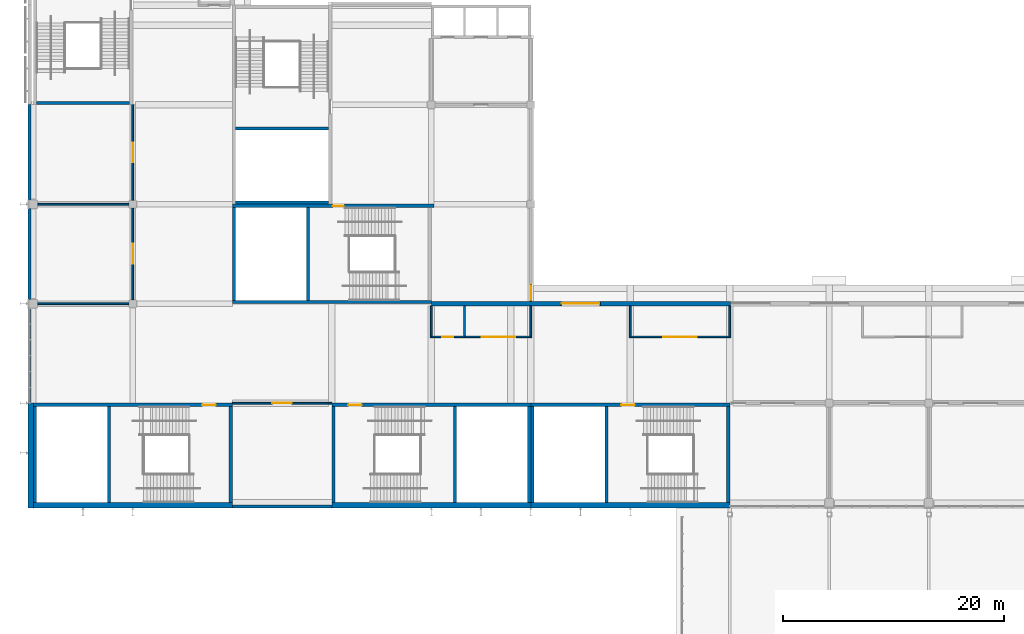
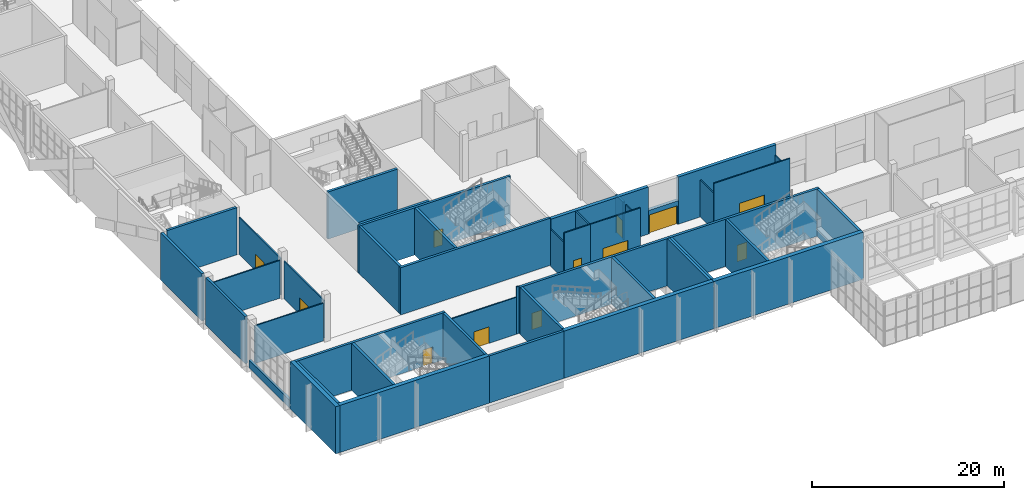
# One storey, part 38 of 89: 45 walls, 12 doors, 12 openings.
"""IFC4 building model written with IfcOpenShell, lengths in metres."""

from ifc_helpers import new_model, si_unit, direction, frame, frame_2d, origin, place, context, subcontext, project, spatial, rectangle, extrude, material, layer, layer_set, type_object, element, fill, save


model = new_model("IFC4")

# Units and contexts
model_context = context("Model", 3, precision=1e-05, world=origin(), true_north=direction((0.0, 1.0)))
body_context = subcontext(model_context, "Body", "Model", "MODEL_VIEW")
ifc_project = project(units=[si_unit("LENGTHUNIT", "METRE"), si_unit("AREAUNIT", "SQUARE_METRE"), si_unit("VOLUMEUNIT", "CUBIC_METRE"), si_unit("PLANEANGLEUNIT", "RADIAN"), si_unit("MASSUNIT", "GRAM", prefix="KILO")], contexts=[model_context])

# Site, building, storey
site_placement = place(None, origin())
site = spatial("IfcSite", under=ifc_project, at=site_placement, CompositionType="ELEMENT")
building_placement = place(site_placement, origin())
building = spatial("IfcBuilding", under=site, at=building_placement, Name="Silverbay Arena", CompositionType="ELEMENT")
storey_placement = place(building_placement, frame((0.0, 0.0, 22.0)))
storey = spatial("IfcBuildingStorey", under=building, at=storey_placement, Name="L03", CompositionType="ELEMENT", Elevation=22.0)

# Wall, opening, door
ifc_material_1 = material(Name="Concrete Grade C45", Category="concrete")
ifc_layer_1 = layer(ifc_material_1, 0.25)
ifc_layer_set_1 = layer_set([ifc_layer_1], Name="Concrete Grade C45")
wall_type_1 = type_object("IfcWallType", Name="Bowl enclosure wall RC 250 EI 120", PredefinedType="SOLIDWALL", material=ifc_layer_set_1)
wall_1_placement = place(storey_placement, frame((99.0, 37.800048828125, 0.0), z_axis=(0.0, 0.0, 1.0), x_axis=(0.0, -1.0, 0.0)))
wall_1 = element("IfcWall", 1, at=wall_1_placement, inside=storey, type_object=wall_type_1, Name="gangway South upper stand end", PredefinedType="SOLIDWALL", context=body_context, shape_type="SweptSolid", body=[
    extrude(rectangle(XDim=1.60009765625, YDim=0.25, at=frame_2d((0.800048828125, 0.0))), origin(), (0.0, 0.0, 1.0), 4.800048828125),
])
opening_1_placement = place(wall_1_placement, frame((0.10009765625, 0.0, 0.0)))
opening_1 = element("IfcOpeningElement", 2, at=opening_1_placement, cuts=wall_1, Name="Opening L03-089", PredefinedType="OPENING", context=body_context, shape_type="SweptSolid", body=[
    extrude(rectangle(XDim=1.39990234375, YDim=2.39990234375, at=frame_2d((0.699951171875, 1.199951171875))), frame((0.0, 0.135009765625, 0.0), z_axis=(0.0, -1.0, 0.0), x_axis=(1.0, 0.0, 0.0)), (0.0, 0.0, 1.0), 0.27001953125),
])
ifc_material_2 = material(Name="Steel", Category="steel")
door_type_1 = type_object("IfcDoorType", Name="Fire door set 1400 x 2400 FD120S gangway", OperationType="DOUBLE_DOOR_SINGLE_SWING", PredefinedType="DOOR", material=ifc_material_2)
door_1_placement = place(opening_1_placement, frame((1.39990234375, 0.0, 0.0), z_axis=(0.0, 0.0, 1.0), x_axis=(-1.0, 0.0, 0.0)))
door_1 = element("IfcDoor", 3, at=door_1_placement, inside=storey, type_object=door_type_1, Name="Fire door set L03 gangway South upper stand end", OperationType="DOUBLE_DOOR_SINGLE_SWING", OverallHeight=2.39990234375, OverallWidth=1.39990234375, PredefinedType="DOOR", context=body_context, shape_type="SweptSolid", body=[
    extrude(rectangle(XDim=1.39990234375, YDim=2.39990234375, at=frame_2d((0.699951171875, 1.199951171875))), frame((0.0, 0.02490234375, 0.0), z_axis=(0.0, -1.0, 0.0), x_axis=(1.0, 0.0, 0.0)), (0.0, 0.0, 1.0), 0.050048828125),
])
fill(opening_1, door_1)

ifc_material_3 = material(Name="Concrete Grade C45", Category="concrete")
ifc_layer_2 = layer(ifc_material_3, 0.39990234375)
ifc_layer_set_2 = layer_set([ifc_layer_2], Name="Concrete Grade C45")
wall_type_2 = type_object("IfcWallType", Name="Bowl enclosure wall RC 400 EI 120", PredefinedType="SOLIDWALL", material=ifc_layer_set_2)
wall_2_placement = place(storey_placement, frame((101.699951171875, 36.0, 0.0), z_axis=(0.0, 0.0, 1.0), x_axis=(1.0, 0.0, 0.0)))
wall_2 = element("IfcWall", 4, at=wall_2_placement, inside=storey, type_object=wall_type_2, Name="portal stand S 103.5", PredefinedType="SOLIDWALL", context=body_context, shape_type="SweptSolid", body=[
    extrude(rectangle(XDim=3.60009765625, YDim=0.39990234375, at=frame_2d((1.800048828125, 0.0))), origin(), (0.0, 0.0, 1.0), 3.0),
])
opening_2_placement = place(wall_2_placement, frame((0.10009765625, 0.0, 0.0)))
opening_2 = element("IfcOpeningElement", 5, at=opening_2_placement, cuts=wall_2, Name="Opening L03-099", PredefinedType="OPENING", context=body_context, shape_type="SweptSolid", body=[
    extrude(rectangle(XDim=3.39990234375, YDim=2.39990234375, at=frame_2d((1.699951171875, 1.199951171875))), frame((0.0, 0.2099609375, 0.0), z_axis=(0.0, -1.0, 0.0), x_axis=(1.0, 0.0, 0.0)), (0.0, 0.0, 1.0), 0.419921875),
])
ifc_material_4 = material(Name="Steel", Category="steel")
door_type_2 = type_object("IfcDoorType", Name="Fire door set 3400 x 2400 FD120S portal", OperationType="DOUBLE_DOOR_SINGLE_SWING", PredefinedType="DOOR", material=ifc_material_4)
door_2_placement = place(opening_2_placement, frame((3.39990234375, 0.0, 0.0), z_axis=(0.0, 0.0, 1.0), x_axis=(-1.0, 0.0, 0.0)))
door_2 = element("IfcDoor", 6, at=door_2_placement, inside=storey, type_object=door_type_2, Name="Fire door set L03 portal stand S 103.5", OperationType="DOUBLE_DOOR_SINGLE_SWING", OverallHeight=2.39990234375, OverallWidth=3.39990234375, PredefinedType="DOOR", context=body_context, shape_type="SweptSolid", body=[
    extrude(rectangle(XDim=3.39990234375, YDim=2.39990234375, at=frame_2d((1.699951171875, 1.199951171875))), frame((0.0, 0.02490234375, 0.0), z_axis=(0.0, -1.0, 0.0), x_axis=(1.0, 0.0, 0.0)), (0.0, 0.0, 1.0), 0.050048828125),
])
fill(opening_2, door_2)

# Walls
ifc_material_5 = material(Name="Concrete Grade C45 precast, light finish", Category="concrete")
ifc_layer_3 = layer(ifc_material_5, 0.300048828125)
ifc_layer_set_3 = layer_set([ifc_layer_3], Name="Concrete Grade C45 precast, light finish")
wall_type_3 = type_object("IfcWallType", Name="Cladded external wall 300", PredefinedType="SOLIDWALL", material=ifc_layer_set_3)
wall_3_placement = place(storey_placement, frame((72.0, 17.64990234375, 0.0), z_axis=(0.0, 0.0, 1.0), x_axis=(1.0, 0.0, 0.0)))
element("IfcWall", 7, at=wall_3_placement, inside=storey, type_object=wall_type_3, Name="South external wall L03 bay 3", PredefinedType="SOLIDWALL", context=body_context, shape_type="SweptSolid", body=[
    extrude(rectangle(XDim=9.0, YDim=0.300048828125, at=frame_2d((4.5, 0.0))), origin(), (0.0, 0.0, 1.0), 6.0),
])
wall_4_placement = place(storey_placement, frame((53.64990234375, 35.60009765625, 0.0), z_axis=(0.0, 0.0, 1.0), x_axis=(0.0, -1.0, 0.0)))
element("IfcWall", 8, at=wall_4_placement, inside=storey, type_object=wall_type_3, Name="West sill wall L03 bay 2", PredefinedType="SOLIDWALL", context=body_context, shape_type="SweptSolid", body=[
    extrude(rectangle(XDim=8.60009765625, YDim=0.300048828125, at=frame_2d((4.300048828125, 0.0))), origin(), (0.0, 0.0, 1.0), 1.0),
])
wall_5_placement = place(storey_placement, frame((53.64990234375, 44.60009765625, 0.0), z_axis=(0.0, 0.0, 1.0), x_axis=(0.0, -1.0, 0.0)))
element("IfcWall", 9, at=wall_5_placement, inside=storey, type_object=wall_type_3, Name="West external wall L03 bay 3", PredefinedType="SOLIDWALL", context=body_context, shape_type="SweptSolid", body=[
    extrude(rectangle(XDim=8.2001953125, YDim=0.300048828125, at=frame_2d((4.10009765625, 0.0))), origin(), (0.0, 0.0, 1.0), 6.0),
])
wall_6_placement = place(storey_placement, frame((53.64990234375, 54.0, 0.0), z_axis=(0.0, 0.0, 1.0), x_axis=(0.0, -1.0, 0.0)))
element("IfcWall", 10, at=wall_6_placement, inside=storey, type_object=wall_type_3, Name="West external wall L03 bay 4", PredefinedType="SOLIDWALL", context=body_context, shape_type="SweptSolid", body=[
    extrude(rectangle(XDim=8.60009765625, YDim=0.300048828125, at=frame_2d((4.300048828125, 0.0))), origin(), (0.0, 0.0, 1.0), 6.0),
])

# Wall, opening, door
ifc_material_6 = material(Name="Concrete Grade C45", Category="concrete")
ifc_layer_4 = layer(ifc_material_6, 0.300048828125)
ifc_layer_set_4 = layer_set([ifc_layer_4], Name="Concrete Grade C45")
wall_type_4 = type_object("IfcWallType", Name="Core wall RC 300 EI 120", PredefinedType="SHEAR", material=ifc_layer_set_4)
wall_7_placement = place(storey_placement, frame((81.0, 26.85009765625, 0.0), z_axis=(0.0, 0.0, 1.0), x_axis=(1.0, 0.0, 0.0)))
wall_7 = element("IfcWall", 11, at=wall_7_placement, inside=storey, type_object=wall_type_4, Name="Core wall ST-S1 L03 door side", PredefinedType="SHEAR", context=body_context, shape_type="SweptSolid", body=[
    extrude(rectangle(XDim=18.0, YDim=0.300048828125, at=frame_2d((9.0, 0.0))), origin(), (0.0, 0.0, 1.0), 6.0),
])
opening_3_placement = place(wall_7_placement, frame((1.5, 0.0, 0.0)))
opening_3 = element("IfcOpeningElement", 12, at=opening_3_placement, cuts=wall_7, Name="Opening L03-053", PredefinedType="OPENING", context=body_context, shape_type="SweptSolid", body=[
    extrude(rectangle(XDim=1.199951171875, YDim=2.10009765625, at=frame_2d((0.60009765625, 1.050048828125))), frame((0.0, 0.16015625, 0.0), z_axis=(0.0, -1.0, 0.0), x_axis=(1.0, 0.0, 0.0)), (0.0, 0.0, 1.0), 0.320068359375),
])
ifc_material_7 = material(Name="Steel fire door", Category="steel")
door_type_3 = type_object("IfcDoorType", Name="Stair door 1200 x 2100 fire door", OperationType="SINGLE_SWING_LEFT", PredefinedType="DOOR", material=ifc_material_7)
door_3_placement = place(opening_3_placement, frame((1.199951171875, 0.0, 0.0), z_axis=(0.0, 0.0, 1.0), x_axis=(-1.0, 0.0, 0.0)))
door_3 = element("IfcDoor", 13, at=door_3_placement, inside=storey, type_object=door_type_3, Name="Stair door ST-S1 L03", OperationType="SINGLE_SWING_RIGHT", OverallHeight=2.10009765625, OverallWidth=1.199951171875, PredefinedType="DOOR", context=body_context, shape_type="SweptSolid", body=[
    extrude(rectangle(XDim=1.199951171875, YDim=2.10009765625, at=frame_2d((0.60009765625, 1.050048828125))), frame((0.0, 0.02490234375, 0.0), z_axis=(0.0, -1.0, 0.0), x_axis=(1.0, 0.0, 0.0)), (0.0, 0.0, 1.0), 0.050048828125),
])
fill(opening_3, door_3)

# Walls
for number, where, z_axis, x_axis, name in (
    (14, (81.14990234375, 26.699951171875, 0.0), (0.0, 0.0, 1.0), (0.0, -1.0, 0.0), "Core wall ST-S1 L03 end 1"),
    (15, (98.85009765625, 26.699951171875, 0.0), (0.0, 0.0, 1.0), (0.0, -1.0, 0.0), "Core wall ST-S1 L03 end 2"),
    (16, (92.14990234375, 26.699951171875, 0.0), (0.0, 0.0, 1.0), (0.0, -1.0, 0.0), "Core wall ST-S1 L03 stair enclosure"),
):
    element("IfcWall", number, at=place(storey_placement, frame(where, z_axis=z_axis, x_axis=x_axis)), inside=storey, type_object=wall_type_4, Name=name, PredefinedType="SHEAR", context=body_context, shape_type="SweptSolid", body=[
        extrude(rectangle(XDim=8.699951171875, YDim=0.300048828125, at=frame_2d((4.35009765625, 0.0))), origin(), (0.0, 0.0, 1.0), 6.0),
    ])

# Wall, opening, door
wall_8_placement = place(storey_placement, frame((117.0, 26.85009765625, 0.0), z_axis=(0.0, 0.0, 1.0), x_axis=(-1.0, 0.0, 0.0)))
wall_8 = element("IfcWall", 17, at=wall_8_placement, inside=storey, type_object=wall_type_4, Name="Core wall ST-S2 L03 door side", PredefinedType="SHEAR", context=body_context, shape_type="SweptSolid", body=[
    extrude(rectangle(XDim=18.0, YDim=0.300048828125, at=frame_2d((9.0, 0.0))), origin(), (0.0, 0.0, 1.0), 6.0),
])
opening_4_placement = place(wall_8_placement, frame((8.60009765625, 0.0, 0.0)))
opening_4 = element("IfcOpeningElement", 18, at=opening_4_placement, cuts=wall_8, Name="Opening L03-054", PredefinedType="OPENING", context=body_context, shape_type="SweptSolid", body=[
    extrude(rectangle(XDim=1.199951171875, YDim=2.10009765625, at=frame_2d((0.60009765625, 1.050048828125))), frame((0.0, 0.16015625, 0.0), z_axis=(0.0, -1.0, 0.0), x_axis=(1.0, 0.0, 0.0)), (0.0, 0.0, 1.0), 0.320068359375),
])
door_4_placement = place(opening_4_placement, origin())
door_4 = element("IfcDoor", 19, at=door_4_placement, inside=storey, type_object=door_type_3, Name="Stair door ST-S2 L03", OperationType="SINGLE_SWING_RIGHT", OverallHeight=2.10009765625, OverallWidth=1.199951171875, PredefinedType="DOOR", context=body_context, shape_type="SweptSolid", body=[
    extrude(rectangle(XDim=1.199951171875, YDim=2.10009765625, at=frame_2d((0.60009765625, 1.050048828125))), frame((0.0, 0.02490234375, 0.0), z_axis=(0.0, -1.0, 0.0), x_axis=(1.0, 0.0, 0.0)), (0.0, 0.0, 1.0), 0.050048828125),
])
fill(opening_4, door_4)

# Walls
for number, where, z_axis, x_axis, name in (
    (20, (116.85009765625, 26.699951171875, 0.0), (0.0, 0.0, 1.0), (0.0, -1.0, 0.0), "Core wall ST-S2 L03 end 1"),
    (21, (99.14990234375, 26.699951171875, 0.0), (0.0, 0.0, 1.0), (0.0, -1.0, 0.0), "Core wall ST-S2 L03 end 2"),
    (22, (105.85009765625, 26.699951171875, 0.0), (0.0, 0.0, 1.0), (0.0, -1.0, 0.0), "Core wall ST-S2 L03 stair enclosure"),
):
    element("IfcWall", number, at=place(storey_placement, frame(where, z_axis=z_axis, x_axis=x_axis)), inside=storey, type_object=wall_type_4, Name=name, PredefinedType="SHEAR", context=body_context, shape_type="SweptSolid", body=[
        extrude(rectangle(XDim=8.699951171875, YDim=0.300048828125, at=frame_2d((4.35009765625, 0.0))), origin(), (0.0, 0.0, 1.0), 6.0),
    ])

# Wall, opening, door
wall_9_placement = place(storey_placement, frame((72.0, 26.85009765625, 0.0), z_axis=(0.0, 0.0, 1.0), x_axis=(-1.0, 0.0, 0.0)))
wall_9 = element("IfcWall", 23, at=wall_9_placement, inside=storey, type_object=wall_type_4, Name="Core wall ST-S5 L03 door side", PredefinedType="SHEAR", context=body_context, shape_type="SweptSolid", body=[
    extrude(rectangle(XDim=18.0, YDim=0.300048828125, at=frame_2d((9.0, 0.0))), origin(), (0.0, 0.0, 1.0), 6.0),
])
opening_5_placement = place(wall_9_placement, frame((1.5, 0.0, 0.0)))
opening_5 = element("IfcOpeningElement", 24, at=opening_5_placement, cuts=wall_9, Name="Opening L03-061", PredefinedType="OPENING", context=body_context, shape_type="SweptSolid", body=[
    extrude(rectangle(XDim=1.199951171875, YDim=2.10009765625, at=frame_2d((0.60009765625, 1.050048828125))), frame((0.0, 0.16015625, 0.0), z_axis=(0.0, -1.0, 0.0), x_axis=(1.0, 0.0, 0.0)), (0.0, 0.0, 1.0), 0.320068359375),
])
door_5_placement = place(opening_5_placement, origin())
door_5 = element("IfcDoor", 25, at=door_5_placement, inside=storey, type_object=door_type_3, Name="Stair door ST-S5 L03", OperationType="SINGLE_SWING_LEFT", OverallHeight=2.10009765625, OverallWidth=1.199951171875, PredefinedType="DOOR", context=body_context, shape_type="SweptSolid", body=[
    extrude(rectangle(XDim=1.199951171875, YDim=2.10009765625, at=frame_2d((0.60009765625, 1.050048828125))), frame((0.0, 0.02490234375, 0.0), z_axis=(0.0, -1.0, 0.0), x_axis=(1.0, 0.0, 0.0)), (0.0, 0.0, 1.0), 0.050048828125),
])
fill(opening_5, door_5)

# Walls
for number, where, z_axis, x_axis, name in (
    (26, (71.85009765625, 26.699951171875, 0.0), (0.0, 0.0, 1.0), (0.0, -1.0, 0.0), "Core wall ST-S5 L03 end 1"),
    (27, (54.14990234375, 26.699951171875, 0.0), (0.0, 0.0, 1.0), (0.0, -1.0, 0.0), "Core wall ST-S5 L03 end 2"),
    (28, (60.85009765625, 26.699951171875, 0.0), (0.0, 0.0, 1.0), (0.0, -1.0, 0.0), "Core wall ST-S5 L03 stair enclosure"),
):
    element("IfcWall", number, at=place(storey_placement, frame(where, z_axis=z_axis, x_axis=x_axis)), inside=storey, type_object=wall_type_4, Name=name, PredefinedType="SHEAR", context=body_context, shape_type="SweptSolid", body=[
        extrude(rectangle(XDim=8.699951171875, YDim=0.300048828125, at=frame_2d((4.35009765625, 0.0))), origin(), (0.0, 0.0, 1.0), 6.0),
    ])
wall_10_placement = place(storey_placement, frame((62.699951171875, 54.14990234375, 0.0), z_axis=(0.0, 0.0, 1.0), x_axis=(-1.0, 0.0, 0.0)))
element("IfcWall", 29, at=wall_10_placement, inside=storey, type_object=wall_type_4, Name="Core wall ST-W1 L03 end 1", PredefinedType="SHEAR", context=body_context, shape_type="SweptSolid", body=[
    extrude(rectangle(XDim=8.39990234375, YDim=0.300048828125, at=frame_2d((4.199951171875, 0.0))), origin(), (0.0, 0.0, 1.0), 6.0),
])

# Wall, opening, door
wall_11_placement = place(storey_placement, frame((90.25, 44.85009765625, 0.0), z_axis=(0.0, 0.0, 1.0), x_axis=(-1.0, 0.0, 0.0)))
wall_11 = element("IfcWall", 30, at=wall_11_placement, inside=storey, type_object=wall_type_4, Name="Core wall ST-SW1 L03 door side", PredefinedType="SHEAR", context=body_context, shape_type="SweptSolid", body=[
    extrude(rectangle(XDim=18.25, YDim=0.300048828125, at=frame_2d((9.125, 0.0))), origin(), (0.0, 0.0, 1.0), 6.0),
])
opening_6_placement = place(wall_11_placement, frame((8.14990234375, 0.0, 0.0)))
opening_6 = element("IfcOpeningElement", 31, at=opening_6_placement, cuts=wall_11, Name="Opening L03-069", PredefinedType="OPENING", context=body_context, shape_type="SweptSolid", body=[
    extrude(rectangle(XDim=1.0, YDim=2.10009765625, at=frame_2d((0.5, 1.050048828125))), frame((0.0, 0.16015625, 0.0), z_axis=(0.0, -1.0, 0.0), x_axis=(1.0, 0.0, 0.0)), (0.0, 0.0, 1.0), 0.320068359375),
])
ifc_material_8 = material(Name="Steel fire door", Category="steel")
door_type_4 = type_object("IfcDoorType", Name="Stair door 1000 x 2100 fire door", OperationType="SINGLE_SWING_LEFT", PredefinedType="DOOR", material=ifc_material_8)
door_6_placement = place(opening_6_placement, origin())
door_6 = element("IfcDoor", 32, at=door_6_placement, inside=storey, type_object=door_type_4, Name="Stair door ST-SW1 L03", OperationType="SINGLE_SWING_LEFT", OverallHeight=2.10009765625, OverallWidth=1.0, PredefinedType="DOOR", context=body_context, shape_type="SweptSolid", body=[
    extrude(rectangle(XDim=1.0, YDim=2.10009765625, at=frame_2d((0.5, 1.050048828125))), frame((0.0, 0.02490234375, 0.0), z_axis=(0.0, -1.0, 0.0), x_axis=(1.0, 0.0, 0.0)), (0.0, 0.0, 1.0), 0.050048828125),
])
fill(opening_6, door_6)

# Walls
wall_12_placement = place(storey_placement, frame((90.0, 36.14990234375, 0.0), z_axis=(0.0, 0.0, 1.0), x_axis=(-1.0, 0.0, 0.0)))
element("IfcWall", 33, at=wall_12_placement, inside=storey, type_object=wall_type_4, Name="Core wall ST-SW1 L03 far side", PredefinedType="SHEAR", context=body_context, shape_type="SweptSolid", body=[
    extrude(rectangle(XDim=18.0, YDim=0.300048828125, at=frame_2d((9.0, 0.0))), origin(), (0.0, 0.0, 1.0), 6.0),
])
for number, where, z_axis, x_axis, name in (
    (34, (72.14990234375, 44.699951171875, 0.0), (0.0, 0.0, 1.0), (0.0, -1.0, 0.0), "Core wall ST-SW1 L03 end 2"),
    (35, (78.85009765625, 44.699951171875, 0.0), (0.0, 0.0, 1.0), (0.0, -1.0, 0.0), "Core wall ST-SW1 L03 stair enclosure"),
    (36, (80.699951171875, 45.14990234375, 0.0), (0.0, 0.0, 1.0), (-1.0, 0.0, 0.0), "Core wall ST-SW2 L03 end 2"),
    (37, (80.699951171875, 51.85009765625, 0.0), (0.0, 0.0, 1.0), (-1.0, 0.0, 0.0), "Core wall ST-SW2 L03 stair enclosure"),
):
    element("IfcWall", number, at=place(storey_placement, frame(where, z_axis=z_axis, x_axis=x_axis)), inside=storey, type_object=wall_type_4, Name=name, PredefinedType="SHEAR", context=body_context, shape_type="SweptSolid", body=[
        extrude(rectangle(XDim=8.39990234375, YDim=0.300048828125, at=frame_2d((4.199951171875, 0.0))), origin(), (0.0, 0.0, 1.0), 6.0),
    ])
ifc_material_9 = material(Name="Concrete Grade C45", Category="concrete")
ifc_layer_5 = layer(ifc_material_9, 0.5)
ifc_layer_set_5 = layer_set([ifc_layer_5], Name="Concrete Grade C45")
wall_type_5 = type_object("IfcWallType", Name="Core wall RC 500 external EI 120", PredefinedType="SHEAR", material=ifc_layer_set_5)
for number, where, z_axis, x_axis, name in (
    (38, (81.0, 17.75, 0.0), (0.0, 0.0, 1.0), (1.0, 0.0, 0.0), "Core wall ST-S1 L03 facade side"),
    (39, (117.0, 17.75, 0.0), (0.0, 0.0, 1.0), (-1.0, 0.0, 0.0), "Core wall ST-S2 L03 facade side"),
    (40, (72.0, 17.75, 0.0), (0.0, 0.0, 1.0), (-1.0, 0.0, 0.0), "Core wall ST-S5 L03 facade side"),
):
    element("IfcWall", number, at=place(storey_placement, frame(where, z_axis=z_axis, x_axis=x_axis)), inside=storey, type_object=wall_type_5, Name=name, PredefinedType="SHEAR", context=body_context, shape_type="SweptSolid", body=[
        extrude(rectangle(XDim=18.0, YDim=0.5, at=frame_2d((9.0, 0.0))), origin(), (0.0, 0.0, 1.0), 6.0),
    ])

# Wall, opening, door
ifc_material_10 = material(Name="Gypsum board partition on steel studs", Category="steel")
ifc_layer_6 = layer(ifc_material_10, 0.14990234375)
ifc_layer_set_6 = layer_set([ifc_layer_6], Name="Gypsum board partition on steel studs")
wall_type_6 = type_object("IfcWallType", Name="Partition 150 EI 60", PredefinedType="PARTITIONING", material=ifc_layer_set_6)
wall_13_placement = place(storey_placement, frame((72.0, 27.0, 0.0), z_axis=(0.0, 0.0, 1.0), x_axis=(1.0, 0.0, 0.0)))
wall_13 = element("IfcWall", 41, at=wall_13_placement, inside=storey, type_object=wall_type_6, Name="Partition wall", PredefinedType="PARTITIONING", context=body_context, shape_type="SweptSolid", body=[
    extrude(rectangle(XDim=8.699951171875, YDim=0.14990234375, at=frame_2d((4.35009765625, 0.0))), origin(), (0.0, 0.0, 1.0), 4.699951171875),
])
opening_7_placement = place(wall_13_placement, frame((3.60009765625, 0.0, 0.0)))
opening_7 = element("IfcOpeningElement", 42, at=opening_7_placement, cuts=wall_13, Name="Opening L03-001", PredefinedType="OPENING", context=body_context, shape_type="SweptSolid", body=[
    extrude(rectangle(XDim=1.800048828125, YDim=2.10009765625, at=frame_2d((0.89990234375, 1.050048828125))), frame((0.0, 0.0849609375, 0.0), z_axis=(0.0, -1.0, 0.0), x_axis=(1.0, 0.0, 0.0)), (0.0, 0.0, 1.0), 0.169921875),
])
ifc_material_11 = material(Name="Steel faced timber", Category="steel")
door_type_5 = type_object("IfcDoorType", Name="Double leaf door 1800 x 2100 FD30S", OperationType="DOUBLE_DOOR_DOUBLE_SWING", PredefinedType="DOOR", material=ifc_material_11)
door_7_placement = place(opening_7_placement, frame((1.800048828125, 0.0, 0.0), z_axis=(0.0, 0.0, 1.0), x_axis=(-1.0, 0.0, 0.0)))
door_7 = element("IfcDoor", 43, at=door_7_placement, inside=storey, type_object=door_type_5, Name="Door L03-001", OperationType="DOUBLE_DOOR_DOUBLE_SWING", OverallHeight=2.10009765625, OverallWidth=1.800048828125, PredefinedType="DOOR", context=body_context, shape_type="SweptSolid", body=[
    extrude(rectangle(XDim=1.800048828125, YDim=2.10009765625, at=frame_2d((0.89990234375, 1.050048828125))), frame((0.0, 0.02490234375, 0.0), z_axis=(0.0, -1.0, 0.0), x_axis=(1.0, 0.0, 0.0)), (0.0, 0.0, 1.0), 0.050048828125),
])
fill(opening_7, door_7)

wall_14_placement = place(storey_placement, frame((89.925048828125, 33.0, 0.0), z_axis=(0.0, 0.0, 1.0), x_axis=(1.0, 0.0, 0.0)))
wall_14 = element("IfcWall", 44, at=wall_14_placement, inside=storey, type_object=wall_type_6, Name="Partition wall", PredefinedType="PARTITIONING", context=body_context, shape_type="SweptSolid", body=[
    extrude(rectangle(XDim=3.14990234375, YDim=0.14990234375, at=frame_2d((1.574951171875, 0.0))), origin(), (0.0, 0.0, 1.0), 6.0),
])
opening_8_placement = place(wall_14_placement, frame((1.074951171875, 0.0, 0.0)))
opening_8 = element("IfcOpeningElement", 45, at=opening_8_placement, cuts=wall_14, Name="Opening L03-025", PredefinedType="OPENING", context=body_context, shape_type="SweptSolid", body=[
    extrude(rectangle(XDim=1.0, YDim=2.10009765625, at=frame_2d((0.5, 1.050048828125))), frame((0.0, 0.0849609375, 0.0), z_axis=(0.0, -1.0, 0.0), x_axis=(1.0, 0.0, 0.0)), (0.0, 0.0, 1.0), 0.169921875),
])
ifc_material_12 = material(Name="Steel faced timber", Category="steel")
door_type_6 = type_object("IfcDoorType", Name="Single leaf door 1000 x 2100 FD30S", OperationType="SINGLE_SWING_LEFT", PredefinedType="DOOR", material=ifc_material_12)
door_8_placement = place(opening_8_placement, origin())
door_8 = element("IfcDoor", 46, at=door_8_placement, inside=storey, type_object=door_type_6, Name="Door L03-025", OperationType="SINGLE_SWING_LEFT", OverallHeight=2.10009765625, OverallWidth=1.0, PredefinedType="DOOR", context=body_context, shape_type="SweptSolid", body=[
    extrude(rectangle(XDim=1.0, YDim=2.10009765625, at=frame_2d((0.5, 1.050048828125))), frame((0.0, 0.02490234375, 0.0), z_axis=(0.0, -1.0, 0.0), x_axis=(1.0, 0.0, 0.0)), (0.0, 0.0, 1.0), 0.050048828125),
])
fill(opening_8, door_8)

wall_15_placement = place(storey_placement, frame((93.074951171875, 33.0, 0.0), z_axis=(0.0, 0.0, 1.0), x_axis=(1.0, 0.0, 0.0)))
wall_15 = element("IfcWall", 47, at=wall_15_placement, inside=storey, type_object=wall_type_6, Name="Partition wall", PredefinedType="PARTITIONING", context=body_context, shape_type="SweptSolid", body=[
    extrude(rectangle(XDim=6.0, YDim=0.14990234375, at=frame_2d((3.0, 0.0))), origin(), (0.0, 0.0, 1.0), 6.0),
])
opening_9_placement = place(wall_15_placement, frame((1.5, 0.0, 0.0)))
opening_9 = element("IfcOpeningElement", 48, at=opening_9_placement, cuts=wall_15, Name="Opening L03-026", PredefinedType="OPENING", context=body_context, shape_type="SweptSolid", body=[
    extrude(rectangle(XDim=3.0, YDim=2.39990234375, at=frame_2d((1.5, 1.199951171875))), frame((0.0, 0.0849609375, 0.0), z_axis=(0.0, -1.0, 0.0), x_axis=(1.0, 0.0, 0.0)), (0.0, 0.0, 1.0), 0.169921875),
])
ifc_material_13 = material(Name="Steel", Category="steel")
door_type_7 = type_object("IfcDoorType", Name="Roller shutter 3000 x 2400 FD30S", OperationType="ROLLINGUP", PredefinedType="DOOR", material=ifc_material_13)
door_9_placement = place(opening_9_placement, origin())
door_9 = element("IfcDoor", 49, at=door_9_placement, inside=storey, type_object=door_type_7, Name="Door L03-026", OperationType="ROLLINGUP", OverallHeight=2.39990234375, OverallWidth=3.0, PredefinedType="DOOR", context=body_context, shape_type="SweptSolid", body=[
    extrude(rectangle(XDim=3.0, YDim=2.39990234375, at=frame_2d((1.5, 1.199951171875))), frame((0.0, 0.02490234375, 0.0), z_axis=(0.0, -1.0, 0.0), x_axis=(1.0, 0.0, 0.0)), (0.0, 0.0, 1.0), 0.050048828125),
])
fill(opening_9, door_9)

wall_16_placement = place(storey_placement, frame((107.925048828125, 33.0, 0.0), z_axis=(0.0, 0.0, 1.0), x_axis=(1.0, 0.0, 0.0)))
wall_16 = element("IfcWall", 50, at=wall_16_placement, inside=storey, type_object=wall_type_6, Name="Partition wall", PredefinedType="PARTITIONING", context=body_context, shape_type="SweptSolid", body=[
    extrude(rectangle(XDim=9.14990234375, YDim=0.14990234375, at=frame_2d((4.574951171875, 0.0))), origin(), (0.0, 0.0, 1.0), 6.0),
])
opening_10_placement = place(wall_16_placement, frame((3.074951171875, 0.0, 0.0)))
opening_10 = element("IfcOpeningElement", 51, at=opening_10_placement, cuts=wall_16, Name="Opening L03-027", PredefinedType="OPENING", context=body_context, shape_type="SweptSolid", body=[
    extrude(rectangle(XDim=3.0, YDim=2.39990234375, at=frame_2d((1.5, 1.199951171875))), frame((0.0, 0.0849609375, 0.0), z_axis=(0.0, -1.0, 0.0), x_axis=(1.0, 0.0, 0.0)), (0.0, 0.0, 1.0), 0.169921875),
])
door_10_placement = place(opening_10_placement, origin())
door_10 = element("IfcDoor", 52, at=door_10_placement, inside=storey, type_object=door_type_7, Name="Door L03-027", OperationType="ROLLINGUP", OverallHeight=2.39990234375, OverallWidth=3.0, PredefinedType="DOOR", context=body_context, shape_type="SweptSolid", body=[
    extrude(rectangle(XDim=3.0, YDim=2.39990234375, at=frame_2d((1.5, 1.199951171875))), frame((0.0, 0.02490234375, 0.0), z_axis=(0.0, -1.0, 0.0), x_axis=(1.0, 0.0, 0.0)), (0.0, 0.0, 1.0), 0.050048828125),
])
fill(opening_10, door_10)

# Walls
for number, where, z_axis, x_axis, name in (
    (53, (54.39990234375, 36.0, 0.0), (0.0, 0.0, 1.0), (1.0, 0.0, 0.0), "Partition wall"),
    (54, (54.39990234375, 45.0, 0.0), (0.0, 0.0, 1.0), (1.0, 0.0, 0.0), "Partition wall"),
):
    element("IfcWall", number, at=place(storey_placement, frame(where, z_axis=z_axis, x_axis=x_axis)), inside=storey, type_object=wall_type_6, Name=name, PredefinedType="PARTITIONING", context=body_context, shape_type="SweptSolid", body=[
        extrude(rectangle(XDim=8.25, YDim=0.14990234375, at=frame_2d((4.125, 0.0))), origin(), (0.0, 0.0, 1.0), 4.800048828125),
    ])

# Wall, opening, door
wall_17_placement = place(storey_placement, frame((63.0, 36.35009765625, 0.0), z_axis=(0.0, 0.0, 1.0), x_axis=(0.0, 1.0, 0.0)))
wall_17 = element("IfcWall", 55, at=wall_17_placement, inside=storey, type_object=wall_type_6, Name="Partition wall", PredefinedType="PARTITIONING", context=body_context, shape_type="SweptSolid", body=[
    extrude(rectangle(XDim=8.2998046875, YDim=0.14990234375, at=frame_2d((4.14990234375, 0.0))), origin(), (0.0, 0.0, 1.0), 4.800048828125),
])
opening_11_placement = place(wall_17_placement, frame((3.25, 0.0, 0.0)))
opening_11 = element("IfcOpeningElement", 56, at=opening_11_placement, cuts=wall_17, Name="Opening L03-009", PredefinedType="OPENING", context=body_context, shape_type="SweptSolid", body=[
    extrude(rectangle(XDim=1.800048828125, YDim=2.10009765625, at=frame_2d((0.89990234375, 1.050048828125))), frame((0.0, 0.0849609375, 0.0), z_axis=(0.0, -1.0, 0.0), x_axis=(1.0, 0.0, 0.0)), (0.0, 0.0, 1.0), 0.169921875),
])
door_11_placement = place(opening_11_placement, origin())
door_11 = element("IfcDoor", 57, at=door_11_placement, inside=storey, type_object=door_type_5, Name="Door L03-009", OperationType="DOUBLE_DOOR_DOUBLE_SWING", OverallHeight=2.10009765625, OverallWidth=1.800048828125, PredefinedType="DOOR", context=body_context, shape_type="SweptSolid", body=[
    extrude(rectangle(XDim=1.800048828125, YDim=2.10009765625, at=frame_2d((0.89990234375, 1.050048828125))), frame((0.0, 0.02490234375, 0.0), z_axis=(0.0, -1.0, 0.0), x_axis=(1.0, 0.0, 0.0)), (0.0, 0.0, 1.0), 0.050048828125),
])
fill(opening_11, door_11)

wall_18_placement = place(storey_placement, frame((63.0, 45.35009765625, 0.0), z_axis=(0.0, 0.0, 1.0), x_axis=(0.0, 1.0, 0.0)))
wall_18 = element("IfcWall", 58, at=wall_18_placement, inside=storey, type_object=wall_type_6, Name="Partition wall", PredefinedType="PARTITIONING", context=body_context, shape_type="SweptSolid", body=[
    extrude(rectangle(XDim=8.64990234375, YDim=0.14990234375, at=frame_2d((4.324951171875, 0.0))), origin(), (0.0, 0.0, 1.0), 4.699951171875),
])
opening_12_placement = place(wall_18_placement, frame((3.425048828125, 0.0, 0.0)))
opening_12 = element("IfcOpeningElement", 59, at=opening_12_placement, cuts=wall_18, Name="Opening L03-010", PredefinedType="OPENING", context=body_context, shape_type="SweptSolid", body=[
    extrude(rectangle(XDim=1.800048828125, YDim=2.10009765625, at=frame_2d((0.89990234375, 1.050048828125))), frame((0.0, 0.0849609375, 0.0), z_axis=(0.0, -1.0, 0.0), x_axis=(1.0, 0.0, 0.0)), (0.0, 0.0, 1.0), 0.169921875),
])
door_12_placement = place(opening_12_placement, origin())
door_12 = element("IfcDoor", 60, at=door_12_placement, inside=storey, type_object=door_type_5, Name="Door L03-010", OperationType="DOUBLE_DOOR_DOUBLE_SWING", OverallHeight=2.10009765625, OverallWidth=1.800048828125, PredefinedType="DOOR", context=body_context, shape_type="SweptSolid", body=[
    extrude(rectangle(XDim=1.800048828125, YDim=2.10009765625, at=frame_2d((0.89990234375, 1.050048828125))), frame((0.0, 0.02490234375, 0.0), z_axis=(0.0, -1.0, 0.0), x_axis=(1.0, 0.0, 0.0)), (0.0, 0.0, 1.0), 0.050048828125),
])
fill(opening_12, door_12)

# Walls
wall_19_placement = place(storey_placement, frame((90.0, 33.074951171875, 0.0), z_axis=(0.0, 0.0, 1.0), x_axis=(0.0, 1.0, 0.0)))
element("IfcWall", 61, at=wall_19_placement, inside=storey, type_object=wall_type_6, Name="Partition wall", PredefinedType="PARTITIONING", context=body_context, shape_type="SweptSolid", body=[
    extrude(rectangle(XDim=2.72509765625, YDim=0.14990234375, at=frame_2d((1.362548828125, 0.0))), origin(), (0.0, 0.0, 1.0), 4.699951171875),
])
wall_20_placement = place(storey_placement, frame((93.0, 33.074951171875, 0.0), z_axis=(0.0, 0.0, 1.0), x_axis=(0.0, 1.0, 0.0)))
element("IfcWall", 62, at=wall_20_placement, inside=storey, type_object=wall_type_6, Name="Partition wall", PredefinedType="PARTITIONING", context=body_context, shape_type="SweptSolid", body=[
    extrude(rectangle(XDim=2.72509765625, YDim=0.14990234375, at=frame_2d((1.362548828125, 0.0))), origin(), (0.0, 0.0, 1.0), 6.0),
])
for number, where, z_axis, x_axis, name in (
    (63, (99.0, 33.074951171875, 0.0), (0.0, 0.0, 1.0), (0.0, 1.0, 0.0), "Partition wall"),
    (64, (108.0, 33.074951171875, 0.0), (0.0, 0.0, 1.0), (0.0, 1.0, 0.0), "Partition wall"),
    (65, (117.0, 33.074951171875, 0.0), (0.0, 0.0, 1.0), (0.0, 1.0, 0.0), "Partition wall"),
):
    element("IfcWall", number, at=place(storey_placement, frame(where, z_axis=z_axis, x_axis=x_axis)), inside=storey, type_object=wall_type_6, Name=name, PredefinedType="PARTITIONING", context=body_context, shape_type="SweptSolid", body=[
        extrude(rectangle(XDim=2.72509765625, YDim=0.14990234375, at=frame_2d((1.362548828125, 0.0))), origin(), (0.0, 0.0, 1.0), 4.699951171875),
    ])
wall_21_placement = place(storey_placement, frame((80.699951171875, 27.0, 0.0), z_axis=(0.0, 0.0, 1.0), x_axis=(1.0, 0.0, 0.0)))
element("IfcWall", 66, at=wall_21_placement, inside=storey, type_object=wall_type_6, Name="Partition wall", PredefinedType="PARTITIONING", context=body_context, shape_type="SweptSolid", body=[
    extrude(rectangle(XDim=0.300048828125, YDim=0.14990234375, at=frame_2d((0.14990234375, 0.0))), origin(), (0.0, 0.0, 1.0), 6.0),
])
ifc_material_14 = material(Name="Concrete Grade C45", Category="concrete")
ifc_layer_7 = layer(ifc_material_14, 0.39990234375)
ifc_layer_set_7 = layer_set([ifc_layer_7], Name="Concrete Grade C45")
wall_type_7 = type_object("IfcWallType", Name="RC back wall 400 EI 120", PredefinedType="SOLIDWALL", material=ifc_layer_set_7)
wall_22_placement = place(storey_placement, frame((90.0, 36.0, 0.0), z_axis=(0.0, 0.0, 1.0), x_axis=(1.0, 0.0, 0.0)))
element("IfcWall", 67, at=wall_22_placement, inside=storey, type_object=wall_type_7, Name="Bowl back wall L03 01", PredefinedType="SOLIDWALL", context=body_context, shape_type="SweptSolid", body=[
    extrude(rectangle(XDim=11.699951171875, YDim=0.39990234375, at=frame_2d((5.85009765625, 0.0))), origin(), (0.0, 0.0, 1.0), 6.0),
])
wall_23_placement = place(storey_placement, frame((105.300048828125, 36.0, 0.0), z_axis=(0.0, 0.0, 1.0), x_axis=(1.0, 0.0, 0.0)))
element("IfcWall", 68, at=wall_23_placement, inside=storey, type_object=wall_type_7, Name="Bowl back wall L03 02", PredefinedType="SOLIDWALL", context=body_context, shape_type="SweptSolid", body=[
    extrude(rectangle(XDim=11.77490234375, YDim=0.39990234375, at=frame_2d((5.887451171875, 0.0))), origin(), (0.0, 0.0, 1.0), 6.0),
])
ifc_material_15 = material(Name="Concrete Grade C45", Category="concrete")
ifc_layer_8 = layer(ifc_material_15, 0.5)
ifc_layer_set_8 = layer_set([ifc_layer_8], Name="Concrete Grade C45")
wall_type_8 = type_object("IfcWallType", Name="Stair core facade wall 500", PredefinedType="SOLIDWALL", material=ifc_layer_set_8)
wall_24_placement = place(storey_placement, frame((53.75, 27.0, 0.0), z_axis=(0.0, 0.0, 1.0), x_axis=(0.0, -1.0, 0.0)))
element("IfcWall", 69, at=wall_24_placement, inside=storey, type_object=wall_type_8, Name="West stair core facade wall L03 bay 1", PredefinedType="SOLIDWALL", context=body_context, shape_type="SweptSolid", body=[
    extrude(rectangle(XDim=9.5, YDim=0.5, at=frame_2d((4.75, 0.0))), origin(), (0.0, 0.0, 1.0), 6.0),
])

save(model, "model.ifc")
